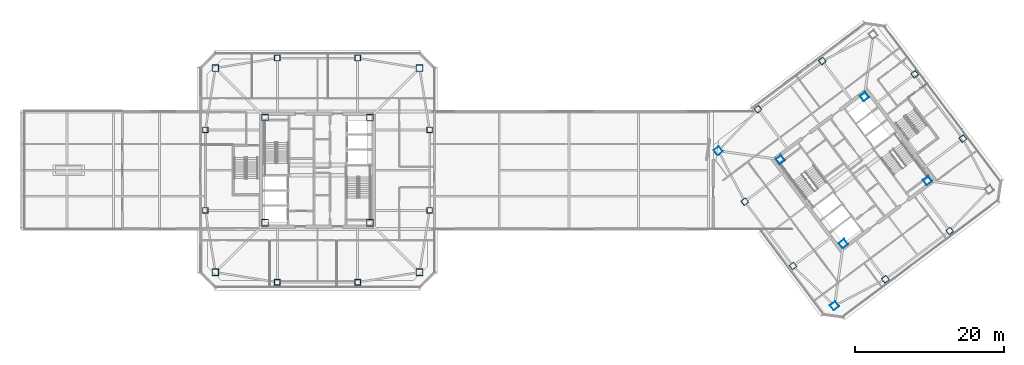
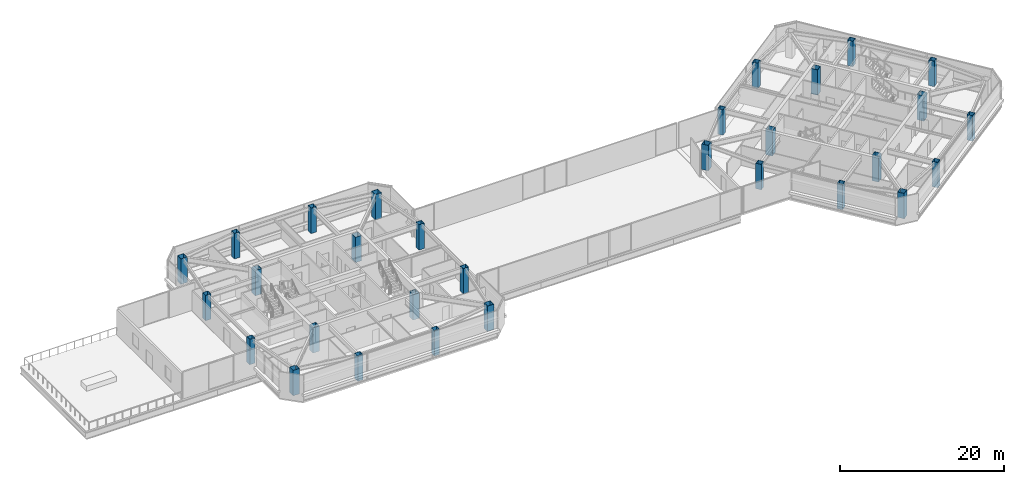
# One storey, part 1 of 51: 30 columns.
"""IFC4 building model written with IfcOpenShell, lengths in metres."""

from ifc_helpers import new_model, si_unit, direction, frame, origin, origin_2d, place, context, subcontext, project, spatial, hollow_rectangle, extrude, material, material_profile, profile_set, type_object, element, save


model = new_model("IFC4")

# Units and contexts
model_context = context("Model", 3, precision=1e-05, world=origin(), true_north=direction((0.0, 1.0)))
body_context = subcontext(model_context, "Body", "Model", "MODEL_VIEW")
ifc_project = project(units=[si_unit("LENGTHUNIT", "METRE"), si_unit("AREAUNIT", "SQUARE_METRE"), si_unit("VOLUMEUNIT", "CUBIC_METRE"), si_unit("PLANEANGLEUNIT", "RADIAN"), si_unit("MASSUNIT", "GRAM", prefix="KILO")], contexts=[model_context])

# Site, building, storey
site_placement = place(None, origin())
site = spatial("IfcSite", under=ifc_project, at=site_placement, CompositionType="ELEMENT")
building_placement = place(site_placement, origin())
building = spatial("IfcBuilding", under=site, at=building_placement, Name="Tashvorn Skyway Center", CompositionType="ELEMENT")
storey_placement = place(building_placement, frame((0.0, 0.0, 251.39990234375)))
storey = spatial("IfcBuildingStorey", under=building, at=storey_placement, Name="L68", CompositionType="ELEMENT", Elevation=251.39990234375)

# Columns
ifc_material = material(Name="Steel ASTM A572 Grade 50", Category="steel")
ifc_material_profile_1 = material_profile(ifc_material, hollow_rectangle(XDim=0.75, YDim=0.75, WallThickness=0.031982421875, at=origin_2d()), Name="BOX750x750x32")
ifc_profile_set_1 = profile_set([ifc_material_profile_1], Name="Steel ASTM A572 Grade 50")
column_type_1 = type_object("IfcColumnType", Name="COL-BOX750x750x32", PredefinedType="COLUMN", material=ifc_profile_set_1)
for number, where, z_axis, x_axis, name in (
    (1, (36.60009765625, 16.949951171875, 0.0), (0.0, 0.0, 1.0), (1.0, 0.0, 0.0), "Tower 1 L68 Perimeter Column FC-S1"),
    (2, (47.39990234375, 16.949951171875, 0.0), (0.0, 0.0, 1.0), (1.0, 0.0, 0.0), "Tower 1 L68 Perimeter Column FC-S2"),
    (3, (57.050048828125, 26.60009765625, 0.0), (0.0, 0.0, 1.0), (1.0, 0.0, 0.0), "Tower 1 L68 Perimeter Column FC-E1"),
    (4, (57.050048828125, 37.39990234375, 0.0), (0.0, 0.0, 1.0), (1.0, 0.0, 0.0), "Tower 1 L68 Perimeter Column FC-E2"),
    (5, (47.39990234375, 47.050048828125, 0.0), (0.0, 0.0, 1.0), (1.0, 0.0, 0.0), "Tower 1 L68 Perimeter Column FC-N1"),
    (6, (36.60009765625, 47.050048828125, 0.0), (0.0, 0.0, 1.0), (1.0, 0.0, 0.0), "Tower 1 L68 Perimeter Column FC-N2"),
    (7, (26.949951171875, 37.39990234375, 0.0), (0.0, 0.0, 1.0), (1.0, 0.0, 0.0), "Tower 1 L68 Perimeter Column FC-W1"),
    (8, (26.949951171875, 26.60009765625, 0.0), (0.0, 0.0, 1.0), (1.0, 0.0, 0.0), "Tower 1 L68 Perimeter Column FC-W2"),
    (9, (118.22998046875, 17.360107421875, 0.0), (0.0, 0.0, 1.0), (0.799999996291, 0.600000004945, 0.0), "Tower 2 L68 Perimeter Column FC-S1"),
    (10, (126.8701171875, 23.840087890625, 0.0), (0.0, 0.0, 1.0), (0.799999996291, 0.600000004945, 0.0), "Tower 2 L68 Perimeter Column FC-S2"),
    (11, (128.639892578125, 36.22998046875, 0.0), (0.0, 0.0, 1.0), (0.799999996291, 0.600000004945, 0.0), "Tower 2 L68 Perimeter Column FC-E1"),
    (12, (122.159912109375, 44.8701171875, 0.0), (0.0, 0.0, 1.0), (0.799999996291, 0.600000004945, 0.0), "Tower 2 L68 Perimeter Column FC-E2"),
    (13, (109.77001953125, 46.639892578125, 0.0), (0.0, 0.0, 1.0), (0.799999996291, 0.600000004945, 0.0), "Tower 2 L68 Perimeter Column FC-N1"),
    (14, (101.1298828125, 40.159912109375, 0.0), (0.0, 0.0, 1.0), (0.799999996291, 0.600000004945, 0.0), "Tower 2 L68 Perimeter Column FC-N2"),
    (15, (99.360107421875, 27.77001953125, 0.0), (0.0, 0.0, 1.0), (0.799999996291, 0.600000004945, 0.0), "Tower 2 L68 Perimeter Column FC-W1"),
    (16, (105.840087890625, 19.1298828125, 0.0), (0.0, 0.0, 1.0), (0.799999996291, 0.600000004945, 0.0), "Tower 2 L68 Perimeter Column FC-W2"),
):
    element("IfcColumn", number, at=place(storey_placement, frame(where, z_axis=z_axis, x_axis=x_axis)), inside=storey, type_object=column_type_1, Name=name, PredefinedType="COLUMN", context=body_context, shape_type="SweptSolid", body=[
        extrude(hollow_rectangle(XDim=0.75, YDim=0.75, WallThickness=0.031982421875, at=origin_2d()), origin(), (0.0, 0.0, 1.0), 3.780029296875),
    ])
ifc_material_profile_2 = material_profile(ifc_material, hollow_rectangle(XDim=0.89990234375, YDim=0.89990234375, WallThickness=0.0400390625, at=origin_2d()), Name="BOX900x900x40")
ifc_profile_set_2 = profile_set([ifc_material_profile_2], Name="Steel ASTM A572 Grade 50")
column_type_2 = type_object("IfcColumnType", Name="COL-BOX900x900x40", PredefinedType="COLUMN", material=ifc_profile_set_2)
for number, where, z_axis, x_axis, name in (
    (17, (34.949951171875, 24.949951171875, 0.0), (0.0, 0.0, 1.0), (1.0, 0.0, 0.0), "Tower 1 L68 Core Corner Column CC-SW"),
    (18, (49.050048828125, 24.949951171875, 0.0), (0.0, 0.0, 1.0), (1.0, 0.0, 0.0), "Tower 1 L68 Core Corner Column CC-SE"),
    (19, (49.050048828125, 39.050048828125, 0.0), (0.0, 0.0, 1.0), (1.0, 0.0, 0.0), "Tower 1 L68 Core Corner Column CC-NE"),
    (20, (34.949951171875, 39.050048828125, 0.0), (0.0, 0.0, 1.0), (1.0, 0.0, 0.0), "Tower 1 L68 Core Corner Column CC-NW"),
    (21, (28.300048828125, 18.300048828125, 0.0), (0.0, 0.0, 1.0), (1.0, 0.0, 0.0), "Tower 1 L68 Mega-Column MC-SW"),
    (22, (55.699951171875, 18.300048828125, 0.0), (0.0, 0.0, 1.0), (1.0, 0.0, 0.0), "Tower 1 L68 Mega-Column MC-SE"),
    (23, (55.699951171875, 45.699951171875, 0.0), (0.0, 0.0, 1.0), (1.0, 0.0, 0.0), "Tower 1 L68 Mega-Column MC-NE"),
    (24, (28.300048828125, 45.699951171875, 0.0), (0.0, 0.0, 1.0), (1.0, 0.0, 0.0), "Tower 1 L68 Mega-Column MC-NW"),
    (25, (112.590087890625, 22.1298828125, 0.0), (0.0, 0.0, 1.0), (0.799999996291, 0.600000004945, 0.0), "Tower 2 L68 Core Corner Column CC-SW"),
    (26, (123.8701171875, 30.590087890625, 0.0), (0.0, 0.0, 1.0), (0.799999996291, 0.600000004945, 0.0), "Tower 2 L68 Core Corner Column CC-SE"),
    (27, (115.409912109375, 41.8701171875, 0.0), (0.0, 0.0, 1.0), (0.799999996291, 0.600000004945, 0.0), "Tower 2 L68 Core Corner Column CC-NE"),
    (28, (104.1298828125, 33.409912109375, 0.0), (0.0, 0.0, 1.0), (0.799999996291, 0.600000004945, 0.0), "Tower 2 L68 Core Corner Column CC-NW"),
    (29, (111.39990234375, 13.800048828125, 0.0), (0.0, 0.0, 1.0), (0.799999996291, 0.600000004945, 0.0), "Tower 2 L68 Mega-Column MC-SW"),
    (30, (95.800048828125, 34.60009765625, 0.0), (0.0, 0.0, 1.0), (0.799999996291, 0.600000004945, 0.0), "Tower 2 L68 Mega-Column MC-NW"),
):
    element("IfcColumn", number, at=place(storey_placement, frame(where, z_axis=z_axis, x_axis=x_axis)), inside=storey, type_object=column_type_2, Name=name, PredefinedType="COLUMN", context=body_context, shape_type="SweptSolid", body=[
        extrude(hollow_rectangle(XDim=0.89990234375, YDim=0.89990234375, WallThickness=0.0400390625, at=origin_2d()), origin(), (0.0, 0.0, 1.0), 3.780029296875),
    ])

save(model, "model.ifc")
